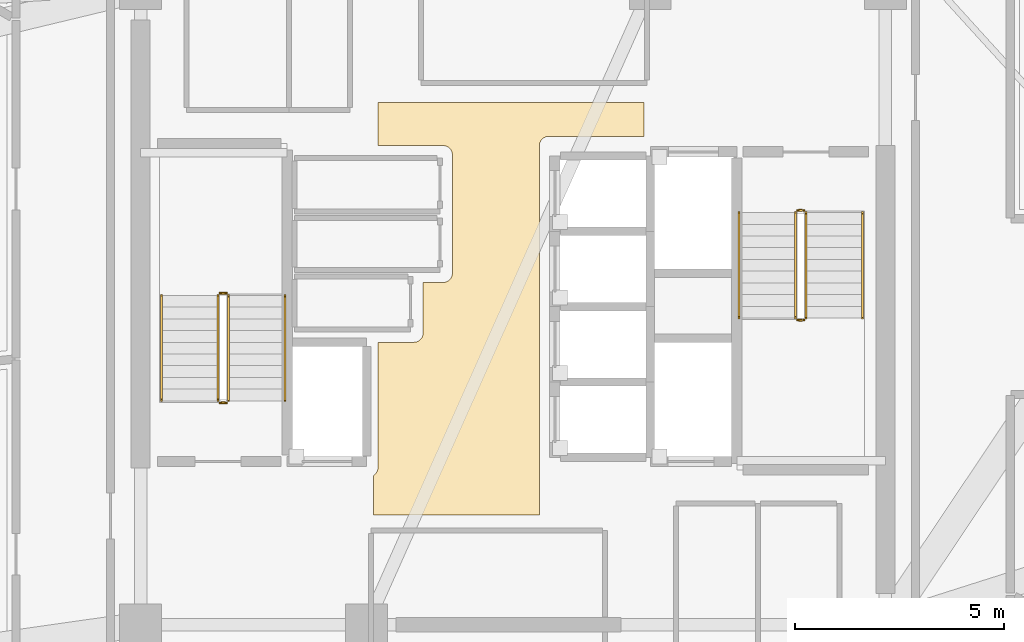
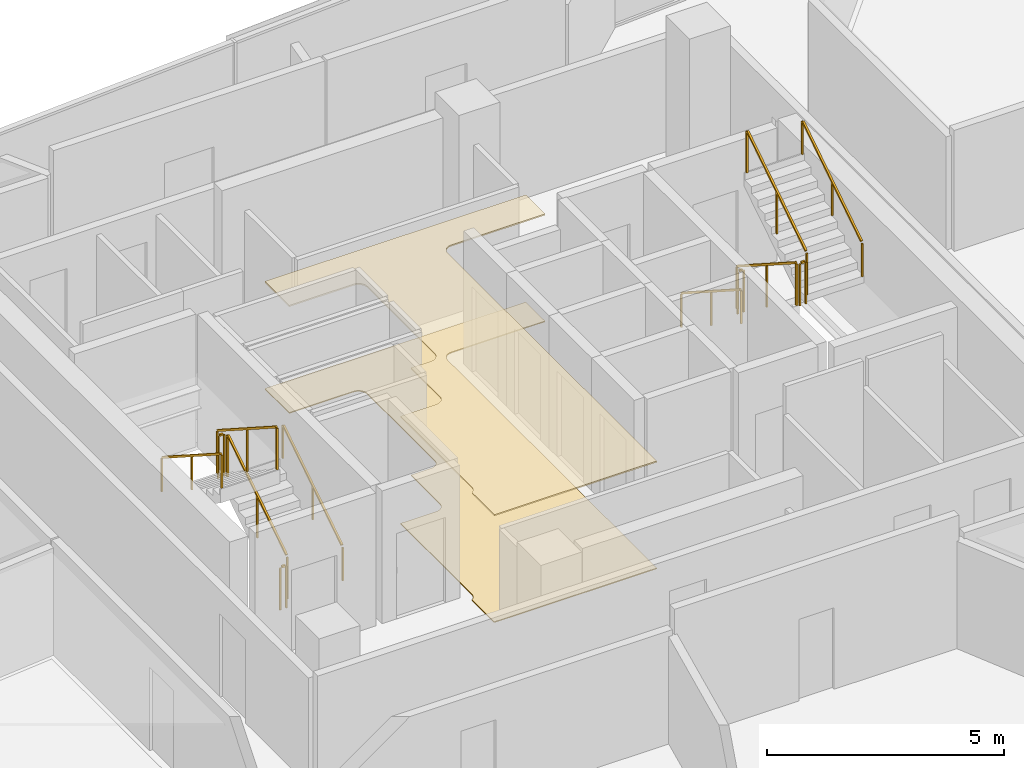
# One storey, part 16 of 17: 12 railings, 2 coverings.
"""IFC4 building model written with IfcOpenShell, lengths in metres."""

import ifcopenshell
import ifcopenshell.guid

model = None  # the IFC model being written
_history = None  # IfcOwnerHistory: only IFC2X3 demands one
_inside = {}  # id of a spatial element -> (the spatial element, [elements in it])
_under = {}  # id of a project, library or spatial element -> (it, [spatial elements below it])
_declared = {}  # id of a project -> (the project, [libraries it declares])
_typed = {}  # id of a type object -> (the type object, [elements of that type])
_made_of = {}  # id of a material, layer set ... -> (it, [elements and type objects made of it])


def new_model(schema):
    """Start an empty IFC model of exactly this schema.

    Asked for "IFC4X3", IfcOpenShell would pick the latest addendum, in which some entities
    have other attributes; the version numbers below select the first issue.
    IFC2X3 requires an IfcOwnerHistory on every rooted entity: one is made here for all.
    """
    global model, _history
    if schema == "IFC4X3":
        model = ifcopenshell.file(schema_version=(4, 3, 0, 0))
    else:
        model = ifcopenshell.file(schema=schema)
    _inside.clear()
    _under.clear()
    _declared.clear()
    _typed.clear()
    _made_of.clear()
    _history = None
    if model.schema == "IFC2X3":
        org = make("IfcOrganization", Name="unknown")
        user = make(
            "IfcPersonAndOrganization",
            ThePerson=make("IfcPerson", FamilyName="unknown"),
            TheOrganization=org,
        )
        app = make(
            "IfcApplication",
            ApplicationDeveloper=org,
            Version="unknown",
            ApplicationFullName="unknown",
            ApplicationIdentifier="unknown",
        )
        _history = make(
            "IfcOwnerHistory",
            OwningUser=user,
            OwningApplication=app,
            ChangeAction="ADDED",
            CreationDate=0,
        )
    return model


def make(cls, **values):
    """One entity of the class cls with the attributes given. An attribute that is None is left unset."""
    return model.create_entity(
        cls, **{name: value for name, value in values.items() if value is not None}
    )


def rooted(cls, **values):
    """An entity with a GlobalId (a new one), such as an element, a storey or a relation."""
    return make(cls, GlobalId=ifcopenshell.guid.new(), OwnerHistory=_history, **values)


def si_unit(unit_type, name, prefix=None):
    """IfcSIUnit, for example si_unit("LENGTHUNIT", "METRE", prefix="MILLI")."""
    return make("IfcSIUnit", UnitType=unit_type, Prefix=prefix, Name=name)


def assignment(units):
    """IfcUnitAssignment: the units of a project."""
    return None if units is None else make("IfcUnitAssignment", Units=units)


def point(xyz):
    """IfcCartesianPoint."""
    return None if xyz is None else make("IfcCartesianPoint", Coordinates=xyz)


def direction(xyz):
    """IfcDirection."""
    return None if xyz is None else make("IfcDirection", DirectionRatios=xyz)


def frame(location, z_axis=None, x_axis=None):
    """IfcAxis2Placement3D, a coordinate frame: its origin and axes. An axis left out is left unset."""
    return make(
        "IfcAxis2Placement3D",
        Location=point(location),
        Axis=direction(z_axis),
        RefDirection=direction(x_axis),
    )


def frame_2d(location, x_axis=None):
    """IfcAxis2Placement2D, a coordinate frame in the plane: its origin and x axis."""
    return make(
        "IfcAxis2Placement2D", Location=point(location), RefDirection=direction(x_axis)
    )


def origin():
    """The frame at (0, 0, 0) with its axes left unset."""
    return frame((0.0, 0.0, 0.0))


def origin_2d():
    """The frame at (0, 0) in the plane with its x axis left unset."""
    return frame_2d((0.0, 0.0))


def place(relative_to, where):
    """IfcLocalPlacement: puts the frame where relative to a parent placement (None: the world)."""
    return make(
        "IfcLocalPlacement", PlacementRelTo=relative_to, RelativePlacement=where
    )


def context(
    kind, dimensions, precision=None, world=None, true_north=None, identifier=None
):
    """IfcGeometricRepresentationContext, for example the 3D "Model" context."""
    return make(
        "IfcGeometricRepresentationContext",
        ContextIdentifier=identifier,
        ContextType=kind,
        CoordinateSpaceDimension=dimensions,
        Precision=precision,
        WorldCoordinateSystem=world,
        TrueNorth=true_north,
    )


def subcontext(parent, identifier, kind, view, scale=None):
    """IfcGeometricRepresentationSubContext, for example "Body" below "Model"."""
    return make(
        "IfcGeometricRepresentationSubContext",
        ContextIdentifier=identifier,
        ContextType=kind,
        ParentContext=parent,
        TargetScale=scale,
        TargetView=view,
    )


def project(units=None, contexts=None):
    """IfcProject with its units and contexts."""
    return rooted(
        "IfcProject",
        Name="project",
        RepresentationContexts=contexts,
        UnitsInContext=assignment(units),
    )


def spatial(cls, under=None, at=None, **own):
    """A site, building, storey or space (cls), placed at a placement, below another one or the project."""
    s = rooted(cls, ObjectPlacement=at, **own)
    if under is not None:
        _under.setdefault(under.id(), (under, []))[1].append(s)
    return s


def polyline(points):
    """IfcPolyline through the points."""
    return make("IfcPolyline", Points=[point(p) for p in points])


def profile(cls, at=None, kind="AREA", **sizes):
    """A parametric profile (cls). Its sizes go by their IFC names, for example OverallWidth=200.0."""
    return make(cls, ProfileType=kind, Position=at, **sizes)


def rectangle(**sizes):
    """IfcRectangleProfileDef."""
    return profile("IfcRectangleProfileDef", **sizes)


def outline(outer, holes=None, kind="AREA"):
    """IfcArbitraryClosedProfileDef: a profile drawn as a closed curve; with holes, ...WithVoids."""
    if holes is None:
        return make("IfcArbitraryClosedProfileDef", ProfileType=kind, OuterCurve=outer)
    return make(
        "IfcArbitraryProfileDefWithVoids",
        ProfileType=kind,
        OuterCurve=outer,
        InnerCurves=holes,
    )


def extrude(swept, where, along, depth):
    """IfcExtrudedAreaSolid: the profile swept, set in the frame where, extruded along a direction by depth."""
    return make(
        "IfcExtrudedAreaSolid",
        SweptArea=swept,
        Position=where,
        ExtrudedDirection=direction(along),
        Depth=depth,
    )


def shape(context_of_items, identifier, shape_type, items):
    """IfcShapeRepresentation: the items that make up one representation, for example the "Body"."""
    return make(
        "IfcShapeRepresentation",
        ContextOfItems=context_of_items,
        RepresentationIdentifier=identifier,
        RepresentationType=shape_type,
        Items=items,
    )


def material(Name=None, Category=None):
    """IfcMaterial."""
    return make("IfcMaterial", Name=Name, Category=Category)


def layer(
    of_material, thickness, ventilated=None, Name=None, Category=None, Priority=None
):
    """IfcMaterialLayer: one layer of a wall or slab, of a material (None: an air gap)."""
    return make(
        "IfcMaterialLayer",
        Material=of_material,
        LayerThickness=thickness,
        IsVentilated=ventilated,
        Name=Name,
        Category=Category,
        Priority=Priority,
    )


def layer_set(layers, Name=None):
    """IfcMaterialLayerSet."""
    return make("IfcMaterialLayerSet", MaterialLayers=layers, LayerSetName=Name)


def made_of(thing, what):
    """Note that an element or type object is made of a material, layer set ...; save() writes the relation."""
    if what is not None:
        _made_of.setdefault(what.id(), (what, []))[1].append(thing)
    return thing


def type_object(cls, material=None, **own):
    """A type object (cls), such as IfcWallType, which elements share."""
    return made_of(rooted(cls, **own), material)


def element(
    cls,
    number,
    at=None,
    inside=None,
    cuts=None,
    type_object=None,
    material=None,
    context=None,
    identifier="Body",
    shape_type=None,
    held_by="IfcProductDefinitionShape",
    body=None,
    shapes=None,
    **own,
):
    """One element of the class cls, such as IfcWall. Its Tag is "e" and its number.

    at: its placement. inside: the storey or other place that contains it. cuts: it is an
    opening in that element (IfcRelVoidsElement). A single representation is given by context,
    identifier, shape_type and body (its items); several are given by shapes. held_by: the class
    of the entity that holds the representations. save() writes the other relations.
    """
    e = rooted(cls, Tag="e%d" % number, ObjectPlacement=at, **own)
    if body is not None:
        shapes = [shape(context, identifier, shape_type, body)]
    if shapes is not None:
        e.Representation = make(held_by, Representations=shapes)
    if inside is not None:
        _inside.setdefault(inside.id(), (inside, []))[1].append(e)
    if cuts is not None:
        rooted(
            "IfcRelVoidsElement", RelatingBuildingElement=cuts, RelatedOpeningElement=e
        )
    if type_object is not None:
        _typed.setdefault(type_object.id(), (type_object, []))[1].append(e)
    return made_of(e, material)


def aggregate(whole, parts):
    """IfcRelAggregates: a whole, such as a stair, and the parts it consists of."""
    return rooted("IfcRelAggregates", RelatingObject=whole, RelatedObjects=parts)


def save(model, path):
    """Write the relations noted so far, then the file.

    IfcRelAggregates (storeys below a building ...), IfcRelContainedInSpatialStructure (elements
    in a storey), IfcRelDefinesByType, IfcRelAssociatesMaterial and IfcRelDeclares: one each for
    every whole, place, type object, material and project.
    """
    for whole, parts in _under.values():
        aggregate(whole, parts)
    for where, things in _inside.values():
        rooted(
            "IfcRelContainedInSpatialStructure",
            RelatedElements=things,
            RelatingStructure=where,
        )
    for kind, things in _typed.values():
        rooted("IfcRelDefinesByType", RelatedObjects=things, RelatingType=kind)
    for what, things in _made_of.values():
        rooted("IfcRelAssociatesMaterial", RelatedObjects=things, RelatingMaterial=what)
    for by, libraries in _declared.values():
        rooted("IfcRelDeclares", RelatingContext=by, RelatedDefinitions=libraries)
    model.write(path)


model = new_model("IFC4")

# Units and contexts
model_context = context("Model", 3, precision=1e-05, world=origin(), true_north=direction((0.0, 1.0)))
body_context = subcontext(model_context, "Body", "Model", "MODEL_VIEW")
ifc_project = project(units=[si_unit("LENGTHUNIT", "METRE"), si_unit("AREAUNIT", "SQUARE_METRE"), si_unit("VOLUMEUNIT", "CUBIC_METRE"), si_unit("PLANEANGLEUNIT", "RADIAN"), si_unit("MASSUNIT", "GRAM", prefix="KILO")], contexts=[model_context])

# Site, building, storey
site_placement = place(None, origin())
site = spatial("IfcSite", under=ifc_project, at=site_placement, CompositionType="ELEMENT")
building_placement = place(site_placement, origin())
building = spatial("IfcBuilding", under=site, at=building_placement, Name="Tharavind Bronze Gate", CompositionType="ELEMENT")
storey_placement = place(building_placement, frame((0.0, 0.0, 253.39990234375)))
storey = spatial("IfcBuildingStorey", under=building, at=storey_placement, Name="L65", CompositionType="ELEMENT", Elevation=253.39990234375)

# Coverings
ifc_material_1 = material(Name="Perforated Bronze Acoustic Panel", Category="bronze")
ifc_layer_1 = layer(ifc_material_1, 0.044921875)
ifc_layer_set_1 = layer_set([ifc_layer_1], Name="Perforated Bronze Acoustic Panel")
covering_type_1 = type_object("IfcCoveringType", Name="ACOUSTIC BRONZE BAFFLE CEILING", PredefinedType="CEILING", material=ifc_layer_set_1)
covering_1_placement = place(storey_placement, frame((0.0, 0.0, 2.75)))
element("IfcCovering", 1, at=covering_1_placement, inside=storey, type_object=covering_type_1, Name="L65-C-LL suspended ceiling", PredefinedType="CEILING", context=body_context, shape_type="SweptSolid", body=[
    extrude(outline(polyline([(-3.330078125, -4.97998046875), (0.6298828125, -4.97998046875), (0.6298828125, 3.85009765625), (0.631103515625, 3.87158203125), (0.63427734375, 3.892822265625), (0.639404296875, 3.913818359375), (0.646728515625, 3.93408203125), (0.656005859375, 3.95361328125), (0.6669921875, 3.97216796875), (0.679931640625, 3.989501953125), (0.6943359375, 4.005615234375), (0.71044921875, 4.02001953125), (0.727783203125, 4.032958984375), (0.746337890625, 4.0439453125), (0.765869140625, 4.05322265625), (0.7861328125, 4.060546875), (0.80712890625, 4.06591796875), (0.828369140625, 4.06884765625), (0.85009765625, 4.070068359375), (3.1298828125, 4.070068359375), (3.1298828125, 4.8798828125), (-3.22998046875, 4.8798828125), (-3.22998046875, 3.85009765625), (-1.669921875, 3.85009765625), (-1.6484375, 3.848876953125), (-1.627197265625, 3.845703125), (-1.606201171875, 3.840576171875), (-1.585693359375, 3.833251953125), (-1.56640625, 3.823974609375), (-1.5478515625, 3.81298828125), (-1.530517578125, 3.800048828125), (-1.514404296875, 3.78564453125), (-1.5, 3.76953125), (-1.487060546875, 3.752197265625), (-1.47607421875, 3.733642578125), (-1.466796875, 3.714111328125), (-1.45947265625, 3.69384765625), (-1.4541015625, 3.6728515625), (-1.451171875, 3.651611328125), (-1.449951171875, 3.6298828125), (-1.449951171875, 0.800048828125), (-1.451171875, 0.7783203125), (-1.4541015625, 0.757080078125), (-1.45947265625, 0.736083984375), (-1.466796875, 0.7158203125), (-1.47607421875, 0.6962890625), (-1.487060546875, 0.677734375), (-1.5, 0.660400390625), (-1.514404296875, 0.644287109375), (-1.530517578125, 0.6298828125), (-1.5478515625, 0.6171875), (-1.56640625, 0.60595703125), (-1.585693359375, 0.5966796875), (-1.606201171875, 0.589599609375), (-1.627197265625, 0.584228515625), (-1.6484375, 0.5810546875), (-1.669921875, 0.580078125), (-2.14990234375, 0.580078125), (-2.14990234375, -0.6298828125), (-2.151123046875, -0.651611328125), (-2.154296875, -0.6728515625), (-2.159423828125, -0.69384765625), (-2.166748046875, -0.714111328125), (-2.176025390625, -0.733642578125), (-2.18701171875, -0.752197265625), (-2.199951171875, -0.76953125), (-2.21435546875, -0.78564453125), (-2.23046875, -0.800048828125), (-2.247802734375, -0.81298828125), (-2.266357421875, -0.823974609375), (-2.285888671875, -0.833251953125), (-2.30615234375, -0.840576171875), (-2.3271484375, -0.845703125), (-2.348388671875, -0.848876953125), (-2.3701171875, -0.85009765625), (-3.22998046875, -0.85009765625), (-3.22998046875, -3.85009765625), (-3.231201171875, -3.87158203125), (-3.234130859375, -3.892822265625), (-3.239501953125, -3.913818359375), (-3.24658203125, -3.93408203125), (-3.256103515625, -3.95361328125), (-3.26708984375, -3.97216796875), (-3.27978515625, -3.989501953125), (-3.29443359375, -4.005615234375), (-3.310302734375, -4.02001953125), (-3.327880859375, -4.032958984375), (-3.330078125, -4.0341796875), (-3.330078125, -4.97998046875)])), origin(), (0.0, 0.0, 1.0), 0.03515625),
])
ifc_material_2 = material(Name="Honed Travertine Limestone", Category="masonry")
ifc_layer_2 = layer(ifc_material_2, 0.030029296875)
ifc_layer_set_2 = layer_set([ifc_layer_2], Name="Honed Travertine Limestone")
covering_type_2 = type_object("IfcCoveringType", Name="HONED LIMESTONE FLOORING", PredefinedType="FLOORING", material=ifc_layer_set_2)
covering_2_placement = place(storey_placement, origin())
element("IfcCovering", 2, at=covering_2_placement, inside=storey, type_object=covering_type_2, Name="L65-C-LL floor finish", PredefinedType="FLOORING", context=body_context, shape_type="SweptSolid", body=[
    extrude(outline(polyline([(-3.330078125, -4.97998046875), (0.6298828125, -4.97998046875), (0.6298828125, 3.85009765625), (0.631103515625, 3.87158203125), (0.63427734375, 3.892822265625), (0.639404296875, 3.913818359375), (0.646728515625, 3.93408203125), (0.656005859375, 3.95361328125), (0.6669921875, 3.97216796875), (0.679931640625, 3.989501953125), (0.6943359375, 4.005615234375), (0.71044921875, 4.02001953125), (0.727783203125, 4.032958984375), (0.746337890625, 4.0439453125), (0.765869140625, 4.05322265625), (0.7861328125, 4.060546875), (0.80712890625, 4.06591796875), (0.828369140625, 4.06884765625), (0.85009765625, 4.070068359375), (3.1298828125, 4.070068359375), (3.1298828125, 4.8798828125), (-3.22998046875, 4.8798828125), (-3.22998046875, 3.85009765625), (-1.669921875, 3.85009765625), (-1.6484375, 3.848876953125), (-1.627197265625, 3.845703125), (-1.606201171875, 3.840576171875), (-1.585693359375, 3.833251953125), (-1.56640625, 3.823974609375), (-1.5478515625, 3.81298828125), (-1.530517578125, 3.800048828125), (-1.514404296875, 3.78564453125), (-1.5, 3.76953125), (-1.487060546875, 3.752197265625), (-1.47607421875, 3.733642578125), (-1.466796875, 3.714111328125), (-1.45947265625, 3.69384765625), (-1.4541015625, 3.6728515625), (-1.451171875, 3.651611328125), (-1.449951171875, 3.6298828125), (-1.449951171875, 0.800048828125), (-1.451171875, 0.7783203125), (-1.4541015625, 0.757080078125), (-1.45947265625, 0.736083984375), (-1.466796875, 0.7158203125), (-1.47607421875, 0.6962890625), (-1.487060546875, 0.677734375), (-1.5, 0.660400390625), (-1.514404296875, 0.644287109375), (-1.530517578125, 0.6298828125), (-1.5478515625, 0.6171875), (-1.56640625, 0.60595703125), (-1.585693359375, 0.5966796875), (-1.606201171875, 0.589599609375), (-1.627197265625, 0.584228515625), (-1.6484375, 0.5810546875), (-1.669921875, 0.580078125), (-2.14990234375, 0.580078125), (-2.14990234375, -0.6298828125), (-2.151123046875, -0.651611328125), (-2.154296875, -0.6728515625), (-2.159423828125, -0.69384765625), (-2.166748046875, -0.714111328125), (-2.176025390625, -0.733642578125), (-2.18701171875, -0.752197265625), (-2.199951171875, -0.76953125), (-2.21435546875, -0.78564453125), (-2.23046875, -0.800048828125), (-2.247802734375, -0.81298828125), (-2.266357421875, -0.823974609375), (-2.285888671875, -0.833251953125), (-2.30615234375, -0.840576171875), (-2.3271484375, -0.845703125), (-2.348388671875, -0.848876953125), (-2.3701171875, -0.85009765625), (-3.22998046875, -0.85009765625), (-3.22998046875, -3.85009765625), (-3.231201171875, -3.87158203125), (-3.234130859375, -3.892822265625), (-3.239501953125, -3.913818359375), (-3.24658203125, -3.93408203125), (-3.256103515625, -3.95361328125), (-3.26708984375, -3.97216796875), (-3.27978515625, -3.989501953125), (-3.29443359375, -4.005615234375), (-3.310302734375, -4.02001953125), (-3.327880859375, -4.032958984375), (-3.330078125, -4.0341796875), (-3.330078125, -4.97998046875)])), origin(), (0.0, 0.0, 1.0), 0.025146484375),
])

# Railings
ifc_material_3 = material(Name="Brushed Bronze Alloy", Category="metal")
railing_type_1 = type_object("IfcRailingType", Name="STAIR BRONZE HANDRAIL 900", PredefinedType="HANDRAIL", material=ifc_material_3)
railing_1_placement = place(storey_placement, frame((-5.449951171875, -2.25, 0.18017578125)))
element("IfcRailing", 3, at=railing_1_placement, inside=storey, type_object=railing_type_1, Name="L65 ST1 stair handrail 1", PredefinedType="HANDRAIL", context=body_context, shape_type="SweptSolid", body=[
    extrude(rectangle(XDim=0.048095703125, YDim=0.048095703125, at=origin_2d()), frame((0.0, 0.02685546875, 0.89306640625), z_axis=(0.0, 0.841199657755, 0.540724639528), x_axis=(-1.0, 0.0, 0.0)), (0.0, 0.0, 1.0), 2.931640625),
    extrude(rectangle(XDim=0.0400390625, YDim=0.0400390625, at=origin_2d()), origin(), (0.0, 0.0, 1.0), 0.847900390625),
    extrude(rectangle(XDim=0.0400390625, YDim=0.0400390625, at=origin_2d()), frame((0.0, 1.260009765625, 0.81005859375)), (0.0, 0.0, 1.0), 0.847900390625),
    extrude(rectangle(XDim=0.0400390625, YDim=0.0400390625, at=origin_2d()), frame((0.0, 2.52001953125, 1.619873046875)), (0.0, 0.0, 1.0), 0.847900390625),
])
railing_2_placement = place(storey_placement, frame((-8.39990234375, 0.27001953125, 1.97998046875)))
element("IfcRailing", 4, at=railing_2_placement, inside=storey, type_object=railing_type_1, Name="L65 ST1 stair handrail 2", PredefinedType="HANDRAIL", context=body_context, shape_type="SweptSolid", body=[
    extrude(rectangle(XDim=0.048095703125, YDim=0.048095703125, at=origin_2d()), frame((0.0, -0.02685546875, 0.89306640625), z_axis=(0.0, -0.841162588446, 0.540782303519), x_axis=(1.0, 0.0, 0.0)), (0.0, 0.0, 1.0), 2.931884765625),
    extrude(rectangle(XDim=0.0400390625, YDim=0.0400390625, at=origin_2d()), origin(), (0.0, 0.0, 1.0), 0.847900390625),
    extrude(rectangle(XDim=0.0400390625, YDim=0.0400390625, at=origin_2d()), frame((0.0, -1.260009765625, 0.81005859375)), (0.0, 0.0, 1.0), 0.847900390625),
    extrude(rectangle(XDim=0.0400390625, YDim=0.0400390625, at=origin_2d()), frame((0.0, -2.52001953125, 1.6201171875)), (0.0, 0.0, 1.0), 0.847900390625),
])
railing_3_placement = place(storey_placement, frame((5.39990234375, 2.25, 0.18017578125)))
element("IfcRailing", 5, at=railing_3_placement, inside=storey, type_object=railing_type_1, Name="L65 ST2 stair handrail 1", PredefinedType="HANDRAIL", context=body_context, shape_type="SweptSolid", body=[
    extrude(rectangle(XDim=0.048095703125, YDim=0.048095703125, at=origin_2d()), frame((0.0, -0.02685546875, 0.89306640625), z_axis=(0.0, -0.841199657755, 0.540724639528), x_axis=(1.0, 0.0, 0.0)), (0.0, 0.0, 1.0), 2.931640625),
    extrude(rectangle(XDim=0.0400390625, YDim=0.0400390625, at=origin_2d()), origin(), (0.0, 0.0, 1.0), 0.847900390625),
    extrude(rectangle(XDim=0.0400390625, YDim=0.0400390625, at=origin_2d()), frame((0.0, -1.260009765625, 0.81005859375)), (0.0, 0.0, 1.0), 0.847900390625),
    extrude(rectangle(XDim=0.0400390625, YDim=0.0400390625, at=origin_2d()), frame((0.0, -2.52001953125, 1.619873046875)), (0.0, 0.0, 1.0), 0.847900390625),
])
railing_4_placement = place(storey_placement, frame((8.35009765625, -0.27001953125, 1.97998046875)))
element("IfcRailing", 6, at=railing_4_placement, inside=storey, type_object=railing_type_1, Name="L65 ST2 stair handrail 2", PredefinedType="HANDRAIL", context=body_context, shape_type="SweptSolid", body=[
    extrude(rectangle(XDim=0.048095703125, YDim=0.048095703125, at=origin_2d()), frame((0.0, 0.02685546875, 0.89306640625), z_axis=(0.0, 0.841162588446, 0.540782303519), x_axis=(-1.0, 0.0, 0.0)), (0.0, 0.0, 1.0), 2.931884765625),
    extrude(rectangle(XDim=0.0400390625, YDim=0.0400390625, at=origin_2d()), origin(), (0.0, 0.0, 1.0), 0.847900390625),
    extrude(rectangle(XDim=0.0400390625, YDim=0.0400390625, at=origin_2d()), frame((0.0, 1.260009765625, 0.81005859375)), (0.0, 0.0, 1.0), 0.847900390625),
    extrude(rectangle(XDim=0.0400390625, YDim=0.0400390625, at=origin_2d()), frame((0.0, 2.52001953125, 1.6201171875)), (0.0, 0.0, 1.0), 0.847900390625),
])
railing_type_2 = type_object("IfcRailingType", Name="STAIR WELL GUARD RAILING 1120", PredefinedType="GUARDRAIL", material=ifc_material_3)
railing_5_placement = place(storey_placement, frame((-6.800048828125, -2.25, 0.18017578125)))
element("IfcRailing", 7, at=railing_5_placement, inside=storey, type_object=railing_type_2, Name="L65 ST1 stair guard 1", PredefinedType="GUARDRAIL", context=body_context, shape_type="SweptSolid", body=[
    extrude(rectangle(XDim=0.048095703125, YDim=0.048095703125, at=origin_2d()), frame((0.0, 0.02685546875, 1.11328125), z_axis=(0.0, 0.841199657755, 0.540724639528), x_axis=(-1.0, 0.0, 0.0)), (0.0, 0.0, 1.0), 2.931640625),
    extrude(rectangle(XDim=0.0400390625, YDim=0.0400390625, at=origin_2d()), origin(), (0.0, 0.0, 1.0), 1.068115234375),
    extrude(rectangle(XDim=0.0400390625, YDim=0.0400390625, at=origin_2d()), frame((0.0, 1.260009765625, 0.81005859375)), (0.0, 0.0, 1.0), 1.068115234375),
    extrude(rectangle(XDim=0.0400390625, YDim=0.0400390625, at=origin_2d()), frame((0.0, 2.52001953125, 1.619873046875)), (0.0, 0.0, 1.0), 1.068115234375),
])
railing_6_placement = place(storey_placement, frame((-6.85009765625, 0.320068359375, 1.800048828125)))
element("IfcRailing", 8, at=railing_6_placement, inside=storey, type_object=railing_type_2, Name="L65 ST1 stair guard 2", PredefinedType="GUARDRAIL", context=body_context, shape_type="SweptSolid", body=[
    extrude(rectangle(XDim=0.048095703125, YDim=0.048095703125, at=origin_2d()), frame((-0.031982421875, 0.0, 1.09619140625), z_axis=(-1.0, 0.0, 0.0), x_axis=(0.0, -1.0, 0.0)), (0.0, 0.0, 1.0), 0.0859375),
    extrude(rectangle(XDim=0.0400390625, YDim=0.0400390625, at=origin_2d()), origin(), (0.0, 0.0, 1.0), 1.068115234375),
    extrude(rectangle(XDim=0.0400390625, YDim=0.0400390625, at=origin_2d()), frame((-0.14990234375, 0.0, 0.0)), (0.0, 0.0, 1.0), 1.068115234375),
])
railing_7_placement = place(storey_placement, frame((-7.050048828125, 0.27001953125, 1.97998046875)))
element("IfcRailing", 9, at=railing_7_placement, inside=storey, type_object=railing_type_2, Name="L65 ST1 stair guard 3", PredefinedType="GUARDRAIL", context=body_context, shape_type="SweptSolid", body=[
    extrude(rectangle(XDim=0.048095703125, YDim=0.048095703125, at=origin_2d()), frame((0.0, -0.02685546875, 1.11328125), z_axis=(0.0, -0.841162588446, 0.540782303519), x_axis=(1.0, 0.0, 0.0)), (0.0, 0.0, 1.0), 2.931884765625),
    extrude(rectangle(XDim=0.0400390625, YDim=0.0400390625, at=origin_2d()), origin(), (0.0, 0.0, 1.0), 1.068115234375),
    extrude(rectangle(XDim=0.0400390625, YDim=0.0400390625, at=origin_2d()), frame((0.0, -1.260009765625, 0.81005859375)), (0.0, 0.0, 1.0), 1.068115234375),
    extrude(rectangle(XDim=0.0400390625, YDim=0.0400390625, at=origin_2d()), frame((0.0, -2.52001953125, 1.6201171875)), (0.0, 0.0, 1.0), 1.068115234375),
])
railing_8_placement = place(storey_placement, frame((-6.85009765625, -2.300048828125, 0.0)))
element("IfcRailing", 10, at=railing_8_placement, inside=storey, type_object=railing_type_2, Name="L65 ST1 stair guard 4", PredefinedType="GUARDRAIL", context=body_context, shape_type="SweptSolid", body=[
    extrude(rectangle(XDim=0.048095703125, YDim=0.048095703125, at=origin_2d()), frame((-0.031982421875, 0.0, 1.09619140625), z_axis=(-1.0, 0.0, 0.0), x_axis=(0.0, -1.0, 0.0)), (0.0, 0.0, 1.0), 0.0859375),
    extrude(rectangle(XDim=0.0400390625, YDim=0.0400390625, at=origin_2d()), origin(), (0.0, 0.0, 1.0), 1.068115234375),
    extrude(rectangle(XDim=0.0400390625, YDim=0.0400390625, at=origin_2d()), frame((-0.14990234375, 0.0, 0.0)), (0.0, 0.0, 1.0), 1.068115234375),
])
railing_9_placement = place(storey_placement, frame((6.75, 2.25, 0.18017578125)))
element("IfcRailing", 11, at=railing_9_placement, inside=storey, type_object=railing_type_2, Name="L65 ST2 stair guard 1", PredefinedType="GUARDRAIL", context=body_context, shape_type="SweptSolid", body=[
    extrude(rectangle(XDim=0.048095703125, YDim=0.048095703125, at=origin_2d()), frame((0.0, -0.02685546875, 1.11328125), z_axis=(0.0, -0.841199657755, 0.540724639528), x_axis=(1.0, 0.0, 0.0)), (0.0, 0.0, 1.0), 2.931640625),
    extrude(rectangle(XDim=0.0400390625, YDim=0.0400390625, at=origin_2d()), origin(), (0.0, 0.0, 1.0), 1.068115234375),
    extrude(rectangle(XDim=0.0400390625, YDim=0.0400390625, at=origin_2d()), frame((0.0, -1.260009765625, 0.81005859375)), (0.0, 0.0, 1.0), 1.068115234375),
    extrude(rectangle(XDim=0.0400390625, YDim=0.0400390625, at=origin_2d()), frame((0.0, -2.52001953125, 1.619873046875)), (0.0, 0.0, 1.0), 1.068115234375),
])
railing_10_placement = place(storey_placement, frame((6.800048828125, -0.320068359375, 1.800048828125)))
element("IfcRailing", 12, at=railing_10_placement, inside=storey, type_object=railing_type_2, Name="L65 ST2 stair guard 2", PredefinedType="GUARDRAIL", context=body_context, shape_type="SweptSolid", body=[
    extrude(rectangle(XDim=0.048095703125, YDim=0.048095703125, at=origin_2d()), frame((0.031982421875, 0.0, 1.09619140625), z_axis=(1.0, 0.0, 0.0), x_axis=(0.0, 1.0, 0.0)), (0.0, 0.0, 1.0), 0.0859375),
    extrude(rectangle(XDim=0.0400390625, YDim=0.0400390625, at=origin_2d()), origin(), (0.0, 0.0, 1.0), 1.068115234375),
    extrude(rectangle(XDim=0.0400390625, YDim=0.0400390625, at=origin_2d()), frame((0.14990234375, 0.0, 0.0)), (0.0, 0.0, 1.0), 1.068115234375),
])
railing_11_placement = place(storey_placement, frame((7.0, -0.27001953125, 1.97998046875)))
element("IfcRailing", 13, at=railing_11_placement, inside=storey, type_object=railing_type_2, Name="L65 ST2 stair guard 3", PredefinedType="GUARDRAIL", context=body_context, shape_type="SweptSolid", body=[
    extrude(rectangle(XDim=0.048095703125, YDim=0.048095703125, at=origin_2d()), frame((0.0, 0.02685546875, 1.11328125), z_axis=(0.0, 0.841162588446, 0.540782303519), x_axis=(-1.0, 0.0, 0.0)), (0.0, 0.0, 1.0), 2.931884765625),
    extrude(rectangle(XDim=0.0400390625, YDim=0.0400390625, at=origin_2d()), origin(), (0.0, 0.0, 1.0), 1.068115234375),
    extrude(rectangle(XDim=0.0400390625, YDim=0.0400390625, at=origin_2d()), frame((0.0, 1.260009765625, 0.81005859375)), (0.0, 0.0, 1.0), 1.068115234375),
    extrude(rectangle(XDim=0.0400390625, YDim=0.0400390625, at=origin_2d()), frame((0.0, 2.52001953125, 1.6201171875)), (0.0, 0.0, 1.0), 1.068115234375),
])
railing_12_placement = place(storey_placement, frame((6.800048828125, 2.300048828125, 0.0)))
element("IfcRailing", 14, at=railing_12_placement, inside=storey, type_object=railing_type_2, Name="L65 ST2 stair guard 4", PredefinedType="GUARDRAIL", context=body_context, shape_type="SweptSolid", body=[
    extrude(rectangle(XDim=0.048095703125, YDim=0.048095703125, at=origin_2d()), frame((0.031982421875, 0.0, 1.09619140625), z_axis=(1.0, 0.0, 0.0), x_axis=(0.0, 1.0, 0.0)), (0.0, 0.0, 1.0), 0.0859375),
    extrude(rectangle(XDim=0.0400390625, YDim=0.0400390625, at=origin_2d()), origin(), (0.0, 0.0, 1.0), 1.068115234375),
    extrude(rectangle(XDim=0.0400390625, YDim=0.0400390625, at=origin_2d()), frame((0.14990234375, 0.0, 0.0)), (0.0, 0.0, 1.0), 1.068115234375),
])

save(model, "model.ifc")
